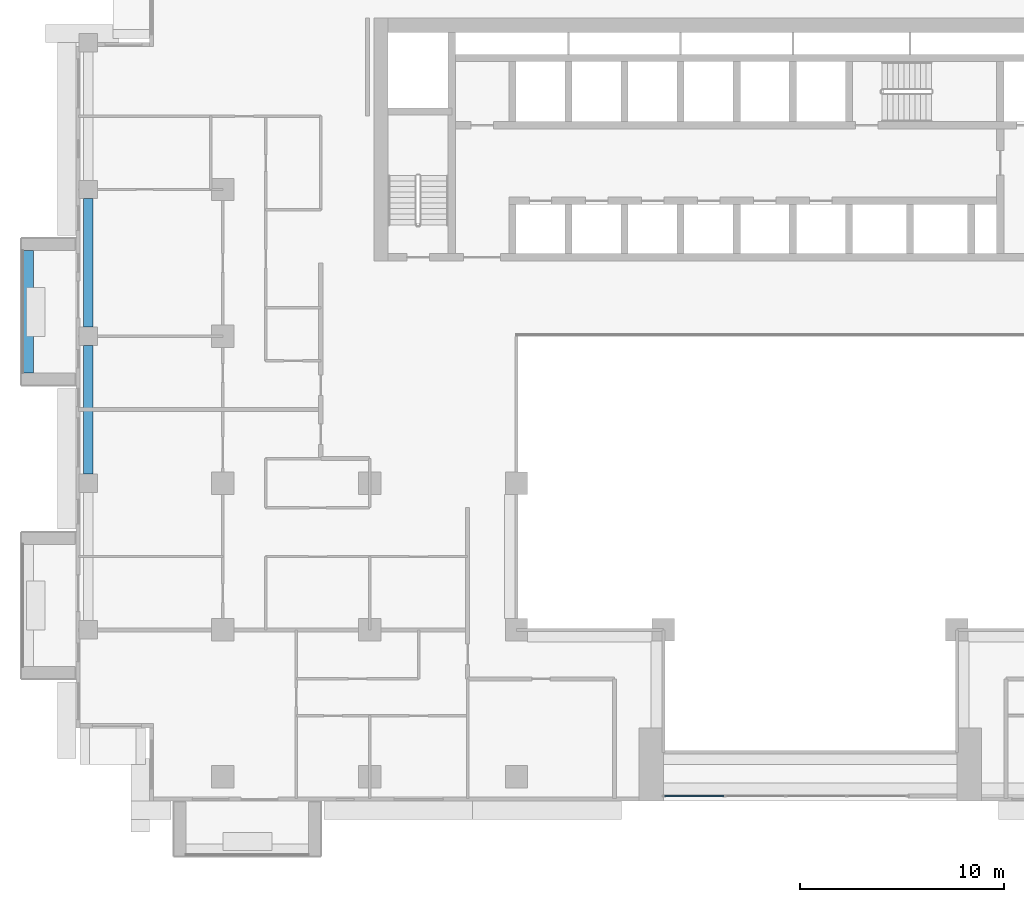
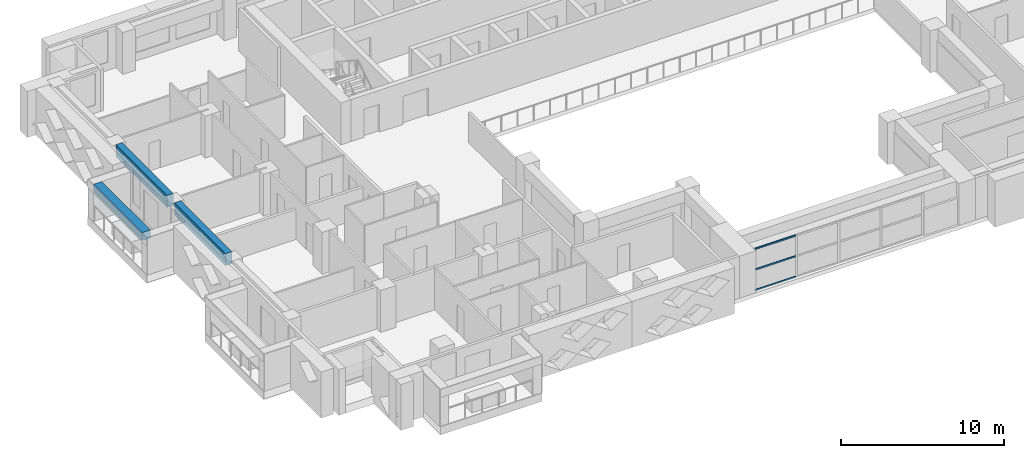
# One storey, part 3 of 19: 3 beams, 3 members, 1 element without a shape of its own.
"""IFC4 building model written with IfcOpenShell, lengths in metres."""

from ifc_helpers import new_model, si_unit, direction, frame, origin, origin_2d, place, context, subcontext, project, spatial, rectangle, extrude, source, transform, mapped, material, layer, layer_set, material_profile, profile_set, type_object, element, aggregate, save


model = new_model("IFC4")

# Units and contexts
model_context = context("Model", 3, precision=1e-05, world=origin(), true_north=direction((0.0, 1.0)))
body_context = subcontext(model_context, "Body", "Model", "MODEL_VIEW")
ifc_project = project(units=[si_unit("LENGTHUNIT", "METRE"), si_unit("AREAUNIT", "SQUARE_METRE"), si_unit("VOLUMEUNIT", "CUBIC_METRE"), si_unit("PLANEANGLEUNIT", "RADIAN"), si_unit("MASSUNIT", "GRAM", prefix="KILO")], contexts=[model_context])

# Site, building, storey
site_placement = place(None, origin())
site = spatial("IfcSite", under=ifc_project, at=site_placement, CompositionType="ELEMENT")
building_placement = place(site_placement, origin())
building = spatial("IfcBuilding", under=site, at=building_placement, Name="Saffron Iwan Residences", CompositionType="ELEMENT")
storey_placement = place(building_placement, frame((0.0, 0.0, 134.0)))
storey = spatial("IfcBuildingStorey", under=building, at=storey_placement, Name="L35", CompositionType="ELEMENT", Elevation=134.0)

# Beams
ifc_material_1 = material(Name="Concrete C50/60", Category="concrete")
ifc_material_profile_1 = material_profile(ifc_material_1, rectangle(XDim=0.449951171875, YDim=0.89990234375, at=origin_2d()), Name="RC 450x900")
ifc_profile_set_1 = profile_set([ifc_material_profile_1], Name="Concrete C50/60")
beam_type_1 = type_object("IfcBeamType", Name="SPANDREL BEAM RC 450x900 C50/60 TOP 3150", PredefinedType="SPANDREL", material=ifc_profile_set_1)
shared_shape_1 = source(origin(), body_context, "Body", "SweptSolid", [
    extrude(rectangle(XDim=0.449951171875, YDim=0.89990234375, at=origin_2d()), origin(), (0.0, 0.0, 1.0), 6.300048828125),
])
beam_1_placement = place(storey_placement, frame((15.0, 55.64990234375, 2.699951171875), z_axis=(0.0, 1.0, 0.0), x_axis=(-1.0, 0.0, 0.0)))
element("IfcBeam", 1, at=beam_1_placement, inside=storey, type_object=beam_type_1, Name="Spandrel beam", PredefinedType="SPANDREL", context=body_context, shape_type="MappedRepresentation", body=[
    mapped(shared_shape_1, transform((0.0, 0.0, 0.0))),
])
shared_shape_2 = source(origin(), body_context, "Body", "SweptSolid", [
    extrude(rectangle(XDim=0.449951171875, YDim=0.89990234375, at=origin_2d()), origin(), (0.0, 0.0, 1.0), 6.2998046875),
])
beam_2_placement = place(storey_placement, frame((15.0, 62.85009765625, 2.699951171875), z_axis=(0.0, 1.0, 0.0), x_axis=(-1.0, 0.0, 0.0)))
element("IfcBeam", 2, at=beam_2_placement, inside=storey, type_object=beam_type_1, Name="Spandrel beam", PredefinedType="SPANDREL", context=body_context, shape_type="MappedRepresentation", body=[
    mapped(shared_shape_2, transform((0.0, 0.0, 0.0))),
])

# Curtain wall, members
ifc_material_2 = material(Name="Clear glass, laminated double glazed", Category="glass")
ifc_layer = layer(ifc_material_2, 0.199951171875)
ifc_layer_set = layer_set([ifc_layer], Name="Clear glass, laminated double glazed")
curtain_wall_type = type_object("IfcCurtainWallType", Name="CW-B IWAN PORTAL", PredefinedType="NOTDEFINED", material=ifc_layer_set)
curtain_wall_placement = place(storey_placement, origin())
curtain_wall = element("IfcCurtainWall", 3, at=curtain_wall_placement, inside=storey, type_object=curtain_wall_type, Name="Iwan portal glazing L35.1", PredefinedType="NOTDEFINED")
ifc_material_3 = material(Name="Aluminium 6063-T6", Category="aluminium")
ifc_material_profile_2 = material_profile(ifc_material_3, rectangle(XDim=0.06005859375, YDim=0.1201171875, at=origin_2d()), Name="CW-B TRANSOM 60 x 120")
ifc_profile_set_2 = profile_set([ifc_material_profile_2], Name="Aluminium 6063-T6")
member_type = type_object("IfcMemberType", Name="CW-B TRANSOM 60 x 120", PredefinedType="USERDEFINED", material=ifc_profile_set_2)
shared_shape_3 = source(origin(), body_context, "Body", "SweptSolid", [
    extrude(rectangle(XDim=0.06005859375, YDim=0.1201171875, at=origin_2d()), origin(), (0.0, 0.0, 1.0), 2.909912109375),
])
member_1_placement = place(storey_placement, frame((43.260009765625, 39.85009765625, 0.030029296875), z_axis=(1.0, 0.0, 0.0), x_axis=(0.0, 1.0, 0.0)))
member_1 = element("IfcMember", 4, at=member_1_placement, type_object=member_type, Name="CW-B transom 1.1", ObjectType="TRANSOM", PredefinedType="USERDEFINED", context=body_context, shape_type="MappedRepresentation", body=[
    mapped(shared_shape_3, transform((0.0, 0.0, 0.0))),
])
member_2_placement = place(storey_placement, frame((43.260009765625, 39.85009765625, 1.574951171875), z_axis=(1.0, 0.0, 0.0), x_axis=(0.0, 1.0, 0.0)))
member_2 = element("IfcMember", 5, at=member_2_placement, type_object=member_type, Name="CW-B transom 1.2", ObjectType="TRANSOM", PredefinedType="USERDEFINED", context=body_context, shape_type="MappedRepresentation", body=[
    mapped(shared_shape_3, transform((0.0, 0.0, 0.0))),
])
member_3_placement = place(storey_placement, frame((43.260009765625, 39.85009765625, 3.1201171875), z_axis=(1.0, 0.0, 0.0), x_axis=(0.0, 1.0, 0.0)))
member_3 = element("IfcMember", 6, at=member_3_placement, type_object=member_type, Name="CW-B transom 1.3", ObjectType="TRANSOM", PredefinedType="USERDEFINED", context=body_context, shape_type="MappedRepresentation", body=[
    mapped(shared_shape_3, transform((0.0, 0.0, 0.0))),
])
aggregate(curtain_wall, [member_1, member_2, member_3])

# Beam
ifc_material_4 = material(Name="Concrete C50/60 white painted", Category="concrete")
ifc_material_profile_3 = material_profile(ifc_material_4, rectangle(XDim=0.60009765625, YDim=0.60009765625, at=origin_2d()), Name="BALCONY FASCIA BEAM 600 x 600")
ifc_profile_set_3 = profile_set([ifc_material_profile_3], Name="Concrete C50/60 white painted")
beam_type_2 = type_object("IfcBeamType", Name="BALCONY FASCIA BEAM 600 x 600", PredefinedType="BEAM", material=ifc_profile_set_3)
shared_shape_4 = source(origin(), body_context, "Body", "SweptSolid", [
    extrude(rectangle(XDim=0.60009765625, YDim=0.60009765625, at=origin_2d()), origin(), (0.0, 0.0, 1.0), 6.0),
])
beam_3_placement = place(storey_placement, frame((12.0, 66.60009765625, 2.5), z_axis=(0.0, -1.0, 0.0), x_axis=(1.0, 0.0, 0.0)))
element("IfcBeam", 7, at=beam_3_placement, inside=storey, type_object=beam_type_2, Name="Balcony fascia beam L35 F8-0", PredefinedType="BEAM", context=body_context, shape_type="MappedRepresentation", body=[
    mapped(shared_shape_4, transform((0.0, 0.0, 0.0))),
])

save(model, "model.ifc")
